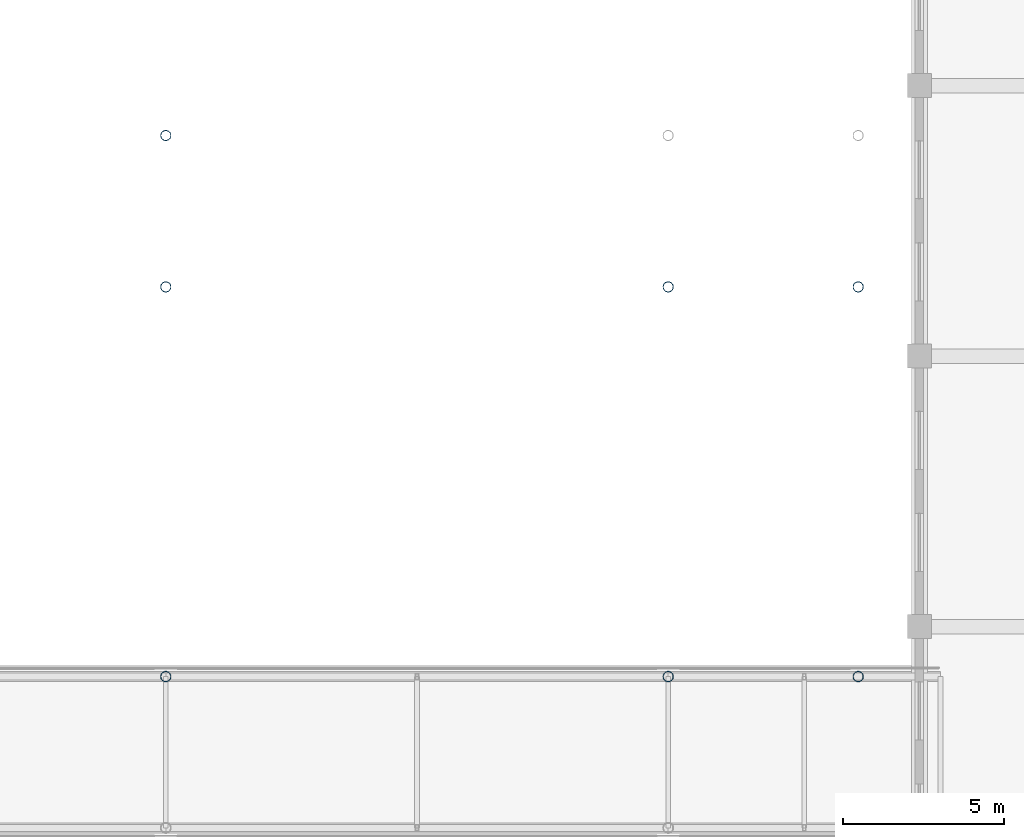
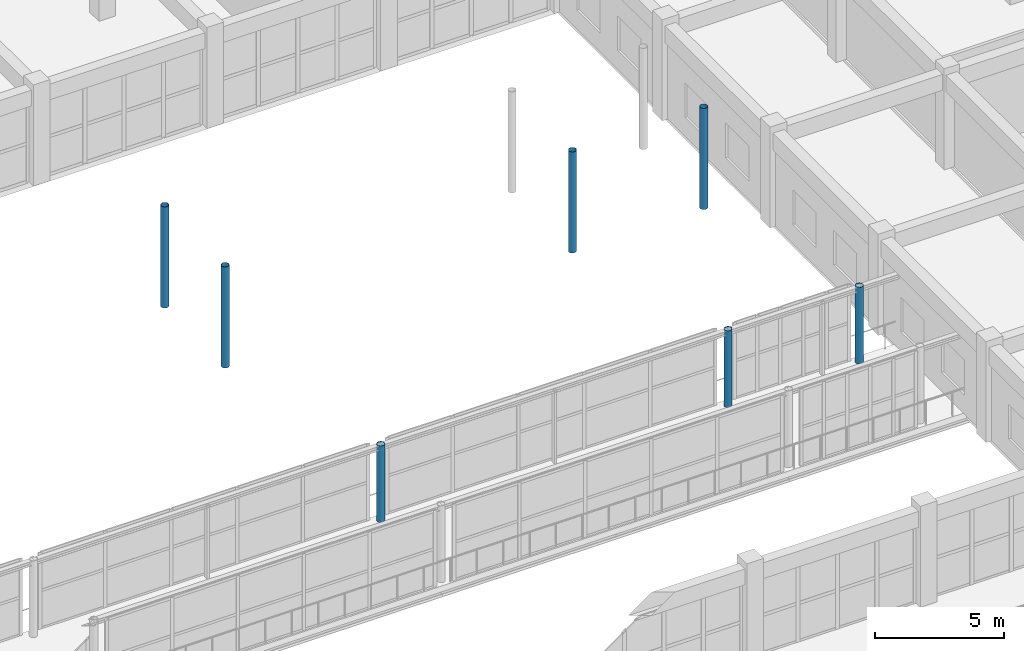
# One storey, part 6 of 175: 7 columns.
"""IFC4 building model written with IfcOpenShell, lengths in metres."""

from ifc_helpers import new_model, si_unit, direction, frame, origin, origin_2d, place, context, subcontext, project, spatial, hollow_circle, extrude, material, material_profile, profile_set, type_object, element, save


model = new_model("IFC4")

# Units and contexts
model_context = context("Model", 3, precision=1e-05, world=origin(), true_north=direction((0.0, 1.0)))
body_context = subcontext(model_context, "Body", "Model", "MODEL_VIEW")
ifc_project = project(units=[si_unit("LENGTHUNIT", "METRE"), si_unit("AREAUNIT", "SQUARE_METRE"), si_unit("VOLUMEUNIT", "CUBIC_METRE"), si_unit("PLANEANGLEUNIT", "RADIAN"), si_unit("MASSUNIT", "GRAM", prefix="KILO")], contexts=[model_context])

# Site, building, storey
site_placement = place(None, origin())
site = spatial("IfcSite", under=ifc_project, at=site_placement, CompositionType="ELEMENT")
building_placement = place(site_placement, origin())
building = spatial("IfcBuilding", under=site, at=building_placement, Name="Zizhar Promenade General Hospital", CompositionType="ELEMENT")
storey_placement = place(building_placement, frame((0.0, 0.0, 4.800048828125)))
storey = spatial("IfcBuildingStorey", under=building, at=storey_placement, Name="L01", CompositionType="ELEMENT", Elevation=4.800048828125)

# Columns
ifc_material = material(Name="Steel S355", Category="steel")
ifc_material_profile = material_profile(ifc_material, hollow_circle(Radius=0.161865234375, WallThickness=0.012451171875, at=origin_2d()))
ifc_profile_set = profile_set([ifc_material_profile], Name="Steel S355")
column_type = type_object("IfcColumnType", Name="COL-STL-CHS324", PredefinedType="COLUMN", material=ifc_profile_set)
for number, where, z_axis, x_axis, name in (
    (1, (101.39990234375, 65.64990234375, 0.0), (0.0, 0.0, 1.0), (1.0, 0.0, 0.0), "SB-1 Courtyard Pier 2N (L01)"),
    (2, (117.0, 65.64990234375, 0.0), (0.0, 0.0, 1.0), (1.0, 0.0, 0.0), "SB-1 Courtyard Pier 3N (L01)"),
    (3, (122.89990234375, 65.64990234375, 0.0), (0.0, 0.0, 1.0), (1.0, 0.0, 0.0), "SB-1 Abutment Pier 2N (L01)"),
):
    element("IfcColumn", number, at=place(storey_placement, frame(where, z_axis=z_axis, x_axis=x_axis)), inside=storey, type_object=column_type, Name=name, PredefinedType="COLUMN", context=body_context, shape_type="SweptSolid", body=[
        extrude(hollow_circle(Radius=0.161865234375, WallThickness=0.012451171875, at=origin_2d()), origin(), (0.0, 0.0, 1.0), 3.639892578125),
    ])
for number, where, z_axis, x_axis, name in (
    (4, (101.39990234375, 77.75, 0.0), (0.0, 0.0, 1.0), (1.0, 0.0, 0.0), "SB-2 Courtyard Pier 2S (L01)"),
    (5, (101.39990234375, 82.449951171875, 0.0), (0.0, 0.0, 1.0), (1.0, 0.0, 0.0), "SB-2 Courtyard Pier 2N (L01)"),
    (6, (117.0, 77.75, 0.0), (0.0, 0.0, 1.0), (1.0, 0.0, 0.0), "SB-2 Courtyard Pier 3S (L01)"),
    (7, (122.89990234375, 77.75, 0.0), (0.0, 0.0, 1.0), (1.0, 0.0, 0.0), "SB-2 Abutment Pier 2S (L01)"),
):
    element("IfcColumn", number, at=place(storey_placement, frame(where, z_axis=z_axis, x_axis=x_axis)), inside=storey, type_object=column_type, Name=name, PredefinedType="COLUMN", context=body_context, shape_type="SweptSolid", body=[
        extrude(hollow_circle(Radius=0.161865234375, WallThickness=0.012451171875, at=origin_2d()), origin(), (0.0, 0.0, 1.0), 4.800048828125),
    ])

save(model, "model.ifc")
